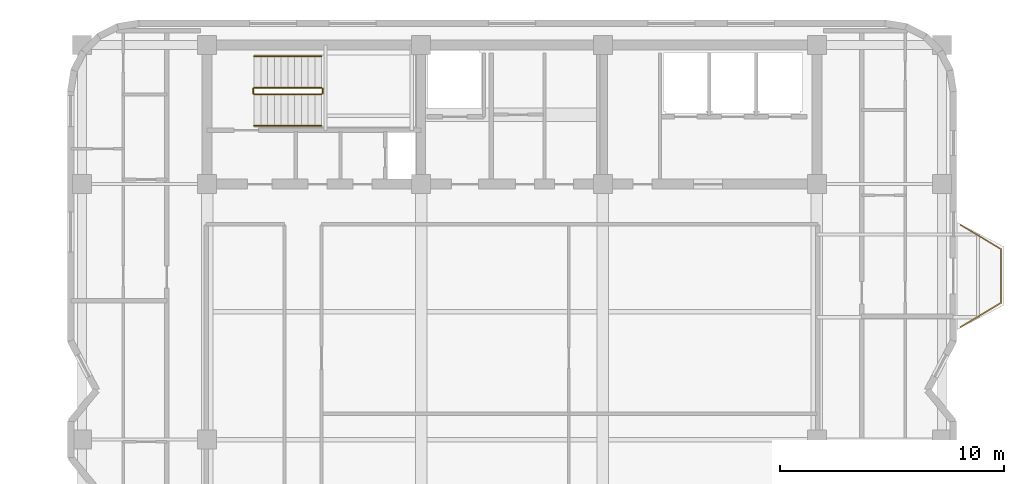
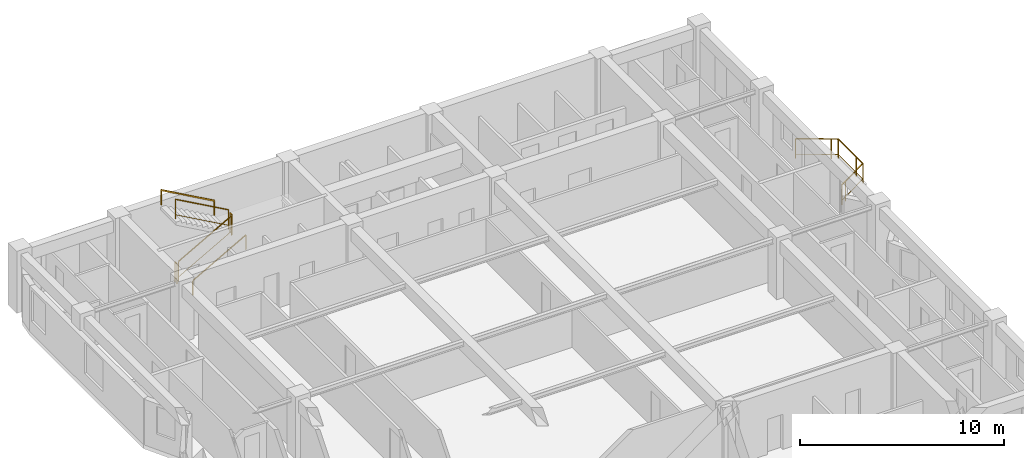
# One storey, part 9 of 9: 7 railings.
"""IFC4 building model written with IfcOpenShell, lengths in metres."""

import ifcopenshell
import ifcopenshell.guid

model = None  # the IFC model being written
_history = None  # IfcOwnerHistory: only IFC2X3 demands one
_inside = {}  # id of a spatial element -> (the spatial element, [elements in it])
_under = {}  # id of a project, library or spatial element -> (it, [spatial elements below it])
_declared = {}  # id of a project -> (the project, [libraries it declares])
_typed = {}  # id of a type object -> (the type object, [elements of that type])
_made_of = {}  # id of a material, layer set ... -> (it, [elements and type objects made of it])


def new_model(schema):
    """Start an empty IFC model of exactly this schema.

    Asked for "IFC4X3", IfcOpenShell would pick the latest addendum, in which some entities
    have other attributes; the version numbers below select the first issue.
    IFC2X3 requires an IfcOwnerHistory on every rooted entity: one is made here for all.
    """
    global model, _history
    if schema == "IFC4X3":
        model = ifcopenshell.file(schema_version=(4, 3, 0, 0))
    else:
        model = ifcopenshell.file(schema=schema)
    _inside.clear()
    _under.clear()
    _declared.clear()
    _typed.clear()
    _made_of.clear()
    _history = None
    if model.schema == "IFC2X3":
        org = make("IfcOrganization", Name="unknown")
        user = make(
            "IfcPersonAndOrganization",
            ThePerson=make("IfcPerson", FamilyName="unknown"),
            TheOrganization=org,
        )
        app = make(
            "IfcApplication",
            ApplicationDeveloper=org,
            Version="unknown",
            ApplicationFullName="unknown",
            ApplicationIdentifier="unknown",
        )
        _history = make(
            "IfcOwnerHistory",
            OwningUser=user,
            OwningApplication=app,
            ChangeAction="ADDED",
            CreationDate=0,
        )
    return model


def make(cls, **values):
    """One entity of the class cls with the attributes given. An attribute that is None is left unset."""
    return model.create_entity(
        cls, **{name: value for name, value in values.items() if value is not None}
    )


def rooted(cls, **values):
    """An entity with a GlobalId (a new one), such as an element, a storey or a relation."""
    return make(cls, GlobalId=ifcopenshell.guid.new(), OwnerHistory=_history, **values)


def si_unit(unit_type, name, prefix=None):
    """IfcSIUnit, for example si_unit("LENGTHUNIT", "METRE", prefix="MILLI")."""
    return make("IfcSIUnit", UnitType=unit_type, Prefix=prefix, Name=name)


def assignment(units):
    """IfcUnitAssignment: the units of a project."""
    return None if units is None else make("IfcUnitAssignment", Units=units)


def point(xyz):
    """IfcCartesianPoint."""
    return None if xyz is None else make("IfcCartesianPoint", Coordinates=xyz)


def direction(xyz):
    """IfcDirection."""
    return None if xyz is None else make("IfcDirection", DirectionRatios=xyz)


def frame(location, z_axis=None, x_axis=None):
    """IfcAxis2Placement3D, a coordinate frame: its origin and axes. An axis left out is left unset."""
    return make(
        "IfcAxis2Placement3D",
        Location=point(location),
        Axis=direction(z_axis),
        RefDirection=direction(x_axis),
    )


def frame_2d(location, x_axis=None):
    """IfcAxis2Placement2D, a coordinate frame in the plane: its origin and x axis."""
    return make(
        "IfcAxis2Placement2D", Location=point(location), RefDirection=direction(x_axis)
    )


def origin():
    """The frame at (0, 0, 0) with its axes left unset."""
    return frame((0.0, 0.0, 0.0))


def origin_2d():
    """The frame at (0, 0) in the plane with its x axis left unset."""
    return frame_2d((0.0, 0.0))


def place(relative_to, where):
    """IfcLocalPlacement: puts the frame where relative to a parent placement (None: the world)."""
    return make(
        "IfcLocalPlacement", PlacementRelTo=relative_to, RelativePlacement=where
    )


def context(
    kind, dimensions, precision=None, world=None, true_north=None, identifier=None
):
    """IfcGeometricRepresentationContext, for example the 3D "Model" context."""
    return make(
        "IfcGeometricRepresentationContext",
        ContextIdentifier=identifier,
        ContextType=kind,
        CoordinateSpaceDimension=dimensions,
        Precision=precision,
        WorldCoordinateSystem=world,
        TrueNorth=true_north,
    )


def subcontext(parent, identifier, kind, view, scale=None):
    """IfcGeometricRepresentationSubContext, for example "Body" below "Model"."""
    return make(
        "IfcGeometricRepresentationSubContext",
        ContextIdentifier=identifier,
        ContextType=kind,
        ParentContext=parent,
        TargetScale=scale,
        TargetView=view,
    )


def project(units=None, contexts=None):
    """IfcProject with its units and contexts."""
    return rooted(
        "IfcProject",
        Name="project",
        RepresentationContexts=contexts,
        UnitsInContext=assignment(units),
    )


def spatial(cls, under=None, at=None, **own):
    """A site, building, storey or space (cls), placed at a placement, below another one or the project."""
    s = rooted(cls, ObjectPlacement=at, **own)
    if under is not None:
        _under.setdefault(under.id(), (under, []))[1].append(s)
    return s


def profile(cls, at=None, kind="AREA", **sizes):
    """A parametric profile (cls). Its sizes go by their IFC names, for example OverallWidth=200.0."""
    return make(cls, ProfileType=kind, Position=at, **sizes)


def rectangle(**sizes):
    """IfcRectangleProfileDef."""
    return profile("IfcRectangleProfileDef", **sizes)


def extrude(swept, where, along, depth):
    """IfcExtrudedAreaSolid: the profile swept, set in the frame where, extruded along a direction by depth."""
    return make(
        "IfcExtrudedAreaSolid",
        SweptArea=swept,
        Position=where,
        ExtrudedDirection=direction(along),
        Depth=depth,
    )


def shape(context_of_items, identifier, shape_type, items):
    """IfcShapeRepresentation: the items that make up one representation, for example the "Body"."""
    return make(
        "IfcShapeRepresentation",
        ContextOfItems=context_of_items,
        RepresentationIdentifier=identifier,
        RepresentationType=shape_type,
        Items=items,
    )


def material(Name=None, Category=None):
    """IfcMaterial."""
    return make("IfcMaterial", Name=Name, Category=Category)


def made_of(thing, what):
    """Note that an element or type object is made of a material, layer set ...; save() writes the relation."""
    if what is not None:
        _made_of.setdefault(what.id(), (what, []))[1].append(thing)
    return thing


def type_object(cls, material=None, **own):
    """A type object (cls), such as IfcWallType, which elements share."""
    return made_of(rooted(cls, **own), material)


def element(
    cls,
    number,
    at=None,
    inside=None,
    cuts=None,
    type_object=None,
    material=None,
    context=None,
    identifier="Body",
    shape_type=None,
    held_by="IfcProductDefinitionShape",
    body=None,
    shapes=None,
    **own,
):
    """One element of the class cls, such as IfcWall. Its Tag is "e" and its number.

    at: its placement. inside: the storey or other place that contains it. cuts: it is an
    opening in that element (IfcRelVoidsElement). A single representation is given by context,
    identifier, shape_type and body (its items); several are given by shapes. held_by: the class
    of the entity that holds the representations. save() writes the other relations.
    """
    e = rooted(cls, Tag="e%d" % number, ObjectPlacement=at, **own)
    if body is not None:
        shapes = [shape(context, identifier, shape_type, body)]
    if shapes is not None:
        e.Representation = make(held_by, Representations=shapes)
    if inside is not None:
        _inside.setdefault(inside.id(), (inside, []))[1].append(e)
    if cuts is not None:
        rooted(
            "IfcRelVoidsElement", RelatingBuildingElement=cuts, RelatedOpeningElement=e
        )
    if type_object is not None:
        _typed.setdefault(type_object.id(), (type_object, []))[1].append(e)
    return made_of(e, material)


def aggregate(whole, parts):
    """IfcRelAggregates: a whole, such as a stair, and the parts it consists of."""
    return rooted("IfcRelAggregates", RelatingObject=whole, RelatedObjects=parts)


def save(model, path):
    """Write the relations noted so far, then the file.

    IfcRelAggregates (storeys below a building ...), IfcRelContainedInSpatialStructure (elements
    in a storey), IfcRelDefinesByType, IfcRelAssociatesMaterial and IfcRelDeclares: one each for
    every whole, place, type object, material and project.
    """
    for whole, parts in _under.values():
        aggregate(whole, parts)
    for where, things in _inside.values():
        rooted(
            "IfcRelContainedInSpatialStructure",
            RelatedElements=things,
            RelatingStructure=where,
        )
    for kind, things in _typed.values():
        rooted("IfcRelDefinesByType", RelatedObjects=things, RelatingType=kind)
    for what, things in _made_of.values():
        rooted("IfcRelAssociatesMaterial", RelatedObjects=things, RelatingMaterial=what)
    for by, libraries in _declared.values():
        rooted("IfcRelDeclares", RelatingContext=by, RelatedDefinitions=libraries)
    model.write(path)


model = new_model("IFC4")

# Units and contexts
model_context = context("Model", 3, precision=1e-05, world=origin(), true_north=direction((0.0, 1.0)))
body_context = subcontext(model_context, "Body", "Model", "MODEL_VIEW")
ifc_project = project(units=[si_unit("LENGTHUNIT", "METRE"), si_unit("AREAUNIT", "SQUARE_METRE"), si_unit("VOLUMEUNIT", "CUBIC_METRE"), si_unit("PLANEANGLEUNIT", "RADIAN"), si_unit("MASSUNIT", "GRAM", prefix="KILO")], contexts=[model_context])

# Site, building, storey
site_placement = place(None, origin())
site = spatial("IfcSite", under=ifc_project, at=site_placement, CompositionType="ELEMENT")
building_placement = place(site_placement, origin())
building = spatial("IfcBuilding", under=site, at=building_placement, Name="Svetorya Sky Lyceum", CompositionType="ELEMENT")
storey_placement = place(building_placement, frame((0.0, 0.0, 244.300048828125)))
storey = spatial("IfcBuildingStorey", under=building, at=storey_placement, Name="L61", CompositionType="ELEMENT", Elevation=244.300048828125)

# Railings
ifc_material_1 = material(Name="Laminated safety glass and stainless AISI 316", Category="glass")
railing_type_1 = type_object("IfcRailingType", Name="RL-BAL-1200", PredefinedType="BALUSTRADE", material=ifc_material_1)
railing_1_placement = place(storey_placement, frame((59.2099609375, 37.780029296875, 0.0)))
element("IfcRailing", 1, at=railing_1_placement, inside=storey, type_object=railing_type_1, Name="L61 Balcony Balustrade BAL-E1", PredefinedType="BALUSTRADE", context=body_context, shape_type="SweptSolid", body=[
    extrude(rectangle(XDim=0.048095703125, YDim=0.048095703125, at=origin_2d()), frame((0.0, 0.0, 1.17578125), z_axis=(0.857482663744, -0.514512858321, 0.0), x_axis=(0.514512858321, 0.857482663744, 0.0)), (0.0, 0.0, 1.0), 2.09912109375),
    extrude(rectangle(XDim=0.02392578125, YDim=0.02392578125, at=origin_2d()), frame((0.0, 0.0, 0.25), z_axis=(0.857482663744, -0.514512858321, 0.0), x_axis=(0.514512858321, 0.857482663744, 0.0)), (0.0, 0.0, 1.0), 2.09912109375),
    extrude(rectangle(XDim=0.048095703125, YDim=0.048095703125, at=origin_2d()), frame((1.800048828125, -1.080078125, 1.17578125), z_axis=(0.0, -1.0, 0.0), x_axis=(1.0, 0.0, 0.0)), (0.0, 0.0, 1.0), 2.39990234375),
    extrude(rectangle(XDim=0.02392578125, YDim=0.02392578125, at=origin_2d()), frame((1.800048828125, -1.080078125, 0.25), z_axis=(0.0, -1.0, 0.0), x_axis=(1.0, 0.0, 0.0)), (0.0, 0.0, 1.0), 2.39990234375),
    extrude(rectangle(XDim=0.048095703125, YDim=0.048095703125, at=origin_2d()), frame((1.800048828125, -3.47998046875, 1.17578125), z_axis=(-0.857482663744, -0.514512858321, 0.0), x_axis=(0.514512858321, -0.857482663744, 0.0)), (0.0, 0.0, 1.0), 2.09912109375),
    extrude(rectangle(XDim=0.02392578125, YDim=0.02392578125, at=origin_2d()), frame((1.800048828125, -3.47998046875, 0.25), z_axis=(-0.857482663744, -0.514512858321, 0.0), x_axis=(0.514512858321, -0.857482663744, 0.0)), (0.0, 0.0, 1.0), 2.09912109375),
    extrude(rectangle(XDim=0.0419921875, YDim=0.0419921875, at=origin_2d()), origin(), (0.0, 0.0, 1.0), 1.15185546875),
    extrude(rectangle(XDim=0.0419921875, YDim=0.0419921875, at=origin_2d()), frame((1.50048828125, -0.900390625, 0.0)), (0.0, 0.0, 1.0), 1.15185546875),
    extrude(rectangle(XDim=0.0419921875, YDim=0.0419921875, at=origin_2d()), frame((1.800048828125, -1.080078125, 0.0)), (0.0, 0.0, 1.0), 1.15185546875),
    extrude(rectangle(XDim=0.0419921875, YDim=0.0419921875, at=origin_2d()), frame((1.800048828125, -2.830078125, 0.0)), (0.0, 0.0, 1.0), 1.15185546875),
    extrude(rectangle(XDim=0.0419921875, YDim=0.0419921875, at=origin_2d()), frame((1.800048828125, -3.47998046875, 0.0)), (0.0, 0.0, 1.0), 1.15185546875),
    extrude(rectangle(XDim=0.0419921875, YDim=0.0419921875, at=origin_2d()), frame((0.299560546875, -4.38037109375, 0.0)), (0.0, 0.0, 1.0), 1.15185546875),
    extrude(rectangle(XDim=0.0419921875, YDim=0.0419921875, at=origin_2d()), frame((0.0, -4.56005859375, 0.0)), (0.0, 0.0, 1.0), 1.15185546875),
])
ifc_material_2 = material(Name="Painted galvanized stair well guard")
railing_type_2 = type_object("IfcRailingType", Name="RL-STR-GUARD-1200", PredefinedType="GUARDRAIL", material=ifc_material_2)
railing_2_placement = place(storey_placement, frame((27.699951171875, 43.60009765625, 0.168212890625)))
element("IfcRailing", 2, at=railing_2_placement, inside=storey, type_object=railing_type_2, Name="L61 ST-N stair guard 1", PredefinedType="GUARDRAIL", context=body_context, shape_type="SweptSolid", body=[
    extrude(rectangle(XDim=0.048095703125, YDim=0.048095703125, at=origin_2d()), frame((0.0, 0.0, 1.17578125), z_axis=(0.872302573547, 0.0, 0.488966481656), x_axis=(0.0, 1.0, 0.0)), (0.0, 0.0, 1.0), 3.439208984375),
    extrude(rectangle(XDim=0.02392578125, YDim=0.02392578125, at=origin_2d()), frame((0.0, 0.0, 0.25), z_axis=(0.872302573547, 0.0, 0.488966481656), x_axis=(0.0, 1.0, 0.0)), (0.0, 0.0, 1.0), 3.439208984375),
    extrude(rectangle(XDim=0.0419921875, YDim=0.0419921875, at=origin_2d()), origin(), (0.0, 0.0, 1.0), 1.15185546875),
    extrude(rectangle(XDim=0.0419921875, YDim=0.0419921875, at=origin_2d()), frame((3.0, 0.0, 1.681640625)), (0.0, 0.0, 1.0), 1.15185546875),
])
railing_3_placement = place(storey_placement, frame((30.75, 43.64990234375, 1.849853515625)))
element("IfcRailing", 3, at=railing_3_placement, inside=storey, type_object=railing_type_2, Name="L61 ST-N stair guard 2", PredefinedType="GUARDRAIL", context=body_context, shape_type="SweptSolid", body=[
    extrude(rectangle(XDim=0.048095703125, YDim=0.048095703125, at=origin_2d()), frame((0.0, 0.0, 1.17578125), z_axis=(0.0, 1.0, 0.0), x_axis=(-1.0, 0.0, 0.0)), (0.0, 0.0, 1.0), 0.2001953125),
    extrude(rectangle(XDim=0.02392578125, YDim=0.02392578125, at=origin_2d()), frame((0.0, 0.0, 0.25), z_axis=(0.0, 1.0, 0.0), x_axis=(-1.0, 0.0, 0.0)), (0.0, 0.0, 1.0), 0.2001953125),
    extrude(rectangle(XDim=0.0419921875, YDim=0.0419921875, at=origin_2d()), origin(), (0.0, 0.0, 1.0), 1.15185546875),
    extrude(rectangle(XDim=0.0419921875, YDim=0.0419921875, at=origin_2d()), frame((0.0, 0.2001953125, 0.0)), (0.0, 0.0, 1.0), 1.15185546875),
])
railing_4_placement = place(storey_placement, frame((30.699951171875, 43.89990234375, 2.01806640625)))
element("IfcRailing", 4, at=railing_4_placement, inside=storey, type_object=railing_type_2, Name="L61 ST-N stair guard 3", PredefinedType="GUARDRAIL", context=body_context, shape_type="SweptSolid", body=[
    extrude(rectangle(XDim=0.048095703125, YDim=0.048095703125, at=origin_2d()), frame((0.0, 0.0, 1.17578125), z_axis=(-0.872272294576, 0.0, 0.489020494575), x_axis=(0.0, -1.0, 0.0)), (0.0, 0.0, 1.0), 3.439208984375),
    extrude(rectangle(XDim=0.02392578125, YDim=0.02392578125, at=origin_2d()), frame((0.0, 0.0, 0.25), z_axis=(-0.872272294576, 0.0, 0.489020494575), x_axis=(0.0, -1.0, 0.0)), (0.0, 0.0, 1.0), 3.439208984375),
    extrude(rectangle(XDim=0.0419921875, YDim=0.0419921875, at=origin_2d()), origin(), (0.0, 0.0, 1.0), 1.15185546875),
    extrude(rectangle(XDim=0.0419921875, YDim=0.0419921875, at=origin_2d()), frame((-3.0, 0.0, 1.681884765625)), (0.0, 0.0, 1.0), 1.15185546875),
])
railing_5_placement = place(storey_placement, frame((27.64990234375, 43.64990234375, 0.0)))
element("IfcRailing", 5, at=railing_5_placement, inside=storey, type_object=railing_type_2, Name="L61 ST-N stair guard 4", PredefinedType="GUARDRAIL", context=body_context, shape_type="SweptSolid", body=[
    extrude(rectangle(XDim=0.048095703125, YDim=0.048095703125, at=origin_2d()), frame((0.0, 0.0, 1.17578125), z_axis=(0.0, 1.0, 0.0), x_axis=(-1.0, 0.0, 0.0)), (0.0, 0.0, 1.0), 0.2001953125),
    extrude(rectangle(XDim=0.02392578125, YDim=0.02392578125, at=origin_2d()), frame((0.0, 0.0, 0.25), z_axis=(0.0, 1.0, 0.0), x_axis=(-1.0, 0.0, 0.0)), (0.0, 0.0, 1.0), 0.2001953125),
    extrude(rectangle(XDim=0.0419921875, YDim=0.0419921875, at=origin_2d()), origin(), (0.0, 0.0, 1.0), 1.15185546875),
    extrude(rectangle(XDim=0.0419921875, YDim=0.0419921875, at=origin_2d()), frame((0.0, 0.2001953125, 0.0)), (0.0, 0.0, 1.0), 1.15185546875),
])
ifc_material_3 = material(Name="Brushed stainless AISI 304 stair handrail")
railing_type_3 = type_object("IfcRailingType", Name="RL-STR-HAND-920", PredefinedType="HANDRAIL", material=ifc_material_3)
railing_6_placement = place(storey_placement, frame((27.699951171875, 42.199951171875, 0.168212890625)))
element("IfcRailing", 6, at=railing_6_placement, inside=storey, type_object=railing_type_3, Name="L61 ST-N stair handrail 1", PredefinedType="HANDRAIL", context=body_context, shape_type="SweptSolid", body=[
    extrude(rectangle(XDim=0.048095703125, YDim=0.048095703125, at=origin_2d()), frame((0.0, 0.0, 0.8759765625), z_axis=(0.872302573547, 0.0, 0.488966481656), x_axis=(0.0, 1.0, 0.0)), (0.0, 0.0, 1.0), 3.439208984375),
    extrude(rectangle(XDim=0.0419921875, YDim=0.0419921875, at=origin_2d()), origin(), (0.0, 0.0, 1.0), 0.851806640625),
    extrude(rectangle(XDim=0.0419921875, YDim=0.0419921875, at=origin_2d()), frame((3.0, 0.0, 1.681640625)), (0.0, 0.0, 1.0), 0.851806640625),
])
railing_7_placement = place(storey_placement, frame((30.699951171875, 45.300048828125, 2.01806640625)))
element("IfcRailing", 7, at=railing_7_placement, inside=storey, type_object=railing_type_3, Name="L61 ST-N stair handrail 2", PredefinedType="HANDRAIL", context=body_context, shape_type="SweptSolid", body=[
    extrude(rectangle(XDim=0.048095703125, YDim=0.048095703125, at=origin_2d()), frame((0.0, 0.0, 0.8759765625), z_axis=(-0.872272294576, 0.0, 0.489020494575), x_axis=(0.0, -1.0, 0.0)), (0.0, 0.0, 1.0), 3.439208984375),
    extrude(rectangle(XDim=0.0419921875, YDim=0.0419921875, at=origin_2d()), origin(), (0.0, 0.0, 1.0), 0.851806640625),
    extrude(rectangle(XDim=0.0419921875, YDim=0.0419921875, at=origin_2d()), frame((-3.0, 0.0, 1.681884765625)), (0.0, 0.0, 1.0), 0.851806640625),
])

save(model, "model.ifc")
